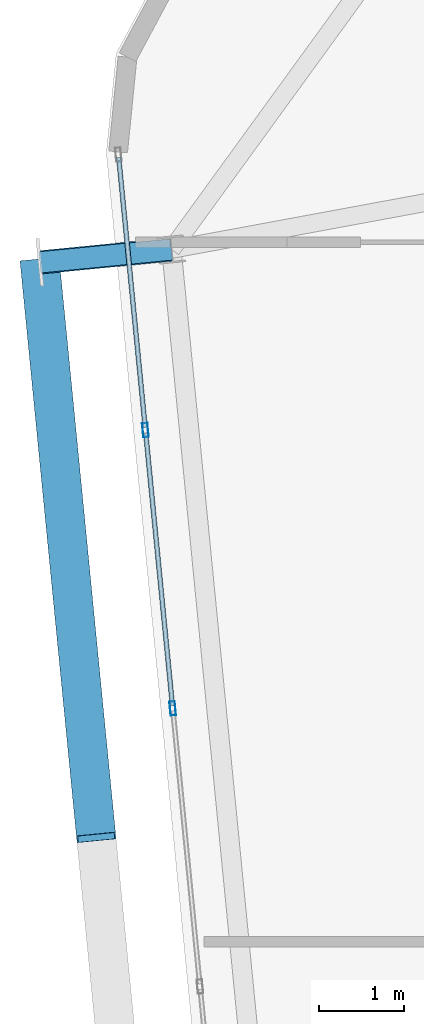
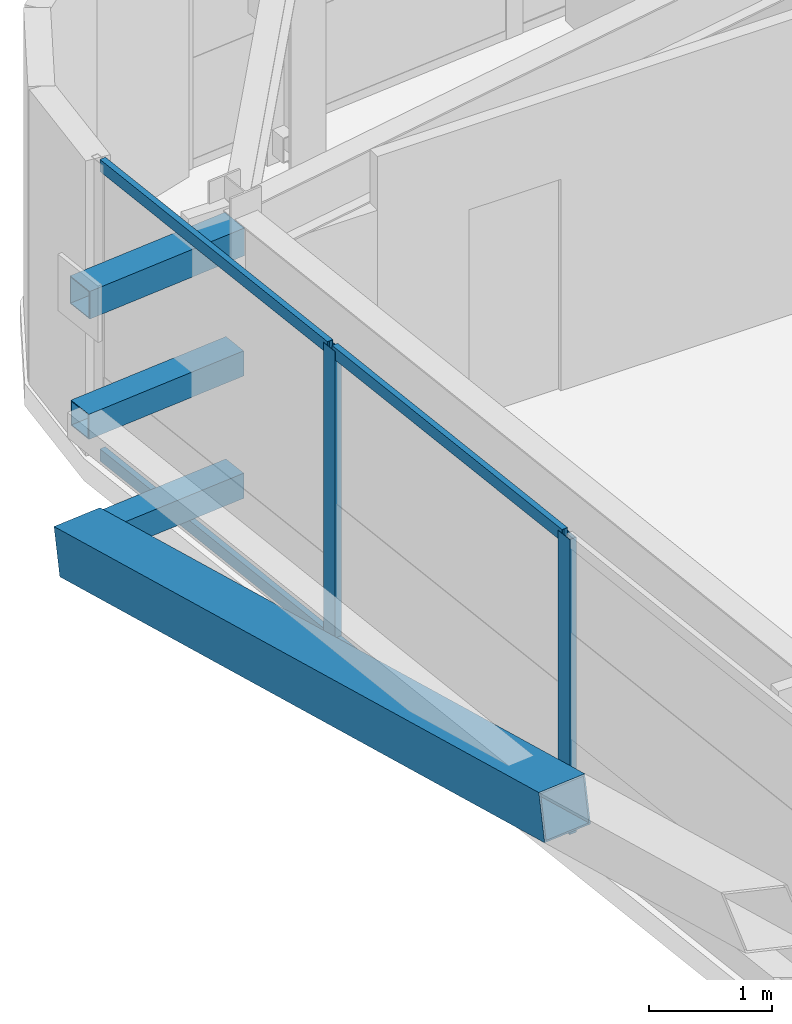
# One storey, part 15 of 52: 10 members, 1 element without a shape of its own.
"""IFC4 building model written with IfcOpenShell, lengths in metres."""

import ifcopenshell
import ifcopenshell.guid

model = None  # the IFC model being written
_history = None  # IfcOwnerHistory: only IFC2X3 demands one
_inside = {}  # id of a spatial element -> (the spatial element, [elements in it])
_under = {}  # id of a project, library or spatial element -> (it, [spatial elements below it])
_declared = {}  # id of a project -> (the project, [libraries it declares])
_typed = {}  # id of a type object -> (the type object, [elements of that type])
_made_of = {}  # id of a material, layer set ... -> (it, [elements and type objects made of it])


def new_model(schema):
    """Start an empty IFC model of exactly this schema.

    Asked for "IFC4X3", IfcOpenShell would pick the latest addendum, in which some entities
    have other attributes; the version numbers below select the first issue.
    IFC2X3 requires an IfcOwnerHistory on every rooted entity: one is made here for all.
    """
    global model, _history
    if schema == "IFC4X3":
        model = ifcopenshell.file(schema_version=(4, 3, 0, 0))
    else:
        model = ifcopenshell.file(schema=schema)
    _inside.clear()
    _under.clear()
    _declared.clear()
    _typed.clear()
    _made_of.clear()
    _history = None
    if model.schema == "IFC2X3":
        org = make("IfcOrganization", Name="unknown")
        user = make(
            "IfcPersonAndOrganization",
            ThePerson=make("IfcPerson", FamilyName="unknown"),
            TheOrganization=org,
        )
        app = make(
            "IfcApplication",
            ApplicationDeveloper=org,
            Version="unknown",
            ApplicationFullName="unknown",
            ApplicationIdentifier="unknown",
        )
        _history = make(
            "IfcOwnerHistory",
            OwningUser=user,
            OwningApplication=app,
            ChangeAction="ADDED",
            CreationDate=0,
        )
    return model


def make(cls, **values):
    """One entity of the class cls with the attributes given. An attribute that is None is left unset."""
    return model.create_entity(
        cls, **{name: value for name, value in values.items() if value is not None}
    )


def rooted(cls, **values):
    """An entity with a GlobalId (a new one), such as an element, a storey or a relation."""
    return make(cls, GlobalId=ifcopenshell.guid.new(), OwnerHistory=_history, **values)


def si_unit(unit_type, name, prefix=None):
    """IfcSIUnit, for example si_unit("LENGTHUNIT", "METRE", prefix="MILLI")."""
    return make("IfcSIUnit", UnitType=unit_type, Prefix=prefix, Name=name)


def assignment(units):
    """IfcUnitAssignment: the units of a project."""
    return None if units is None else make("IfcUnitAssignment", Units=units)


def point(xyz):
    """IfcCartesianPoint."""
    return None if xyz is None else make("IfcCartesianPoint", Coordinates=xyz)


def direction(xyz):
    """IfcDirection."""
    return None if xyz is None else make("IfcDirection", DirectionRatios=xyz)


def frame(location, z_axis=None, x_axis=None):
    """IfcAxis2Placement3D, a coordinate frame: its origin and axes. An axis left out is left unset."""
    return make(
        "IfcAxis2Placement3D",
        Location=point(location),
        Axis=direction(z_axis),
        RefDirection=direction(x_axis),
    )


def frame_2d(location, x_axis=None):
    """IfcAxis2Placement2D, a coordinate frame in the plane: its origin and x axis."""
    return make(
        "IfcAxis2Placement2D", Location=point(location), RefDirection=direction(x_axis)
    )


def origin():
    """The frame at (0, 0, 0) with its axes left unset."""
    return frame((0.0, 0.0, 0.0))


def origin_2d():
    """The frame at (0, 0) in the plane with its x axis left unset."""
    return frame_2d((0.0, 0.0))


def place(relative_to, where):
    """IfcLocalPlacement: puts the frame where relative to a parent placement (None: the world)."""
    return make(
        "IfcLocalPlacement", PlacementRelTo=relative_to, RelativePlacement=where
    )


def context(
    kind, dimensions, precision=None, world=None, true_north=None, identifier=None
):
    """IfcGeometricRepresentationContext, for example the 3D "Model" context."""
    return make(
        "IfcGeometricRepresentationContext",
        ContextIdentifier=identifier,
        ContextType=kind,
        CoordinateSpaceDimension=dimensions,
        Precision=precision,
        WorldCoordinateSystem=world,
        TrueNorth=true_north,
    )


def subcontext(parent, identifier, kind, view, scale=None):
    """IfcGeometricRepresentationSubContext, for example "Body" below "Model"."""
    return make(
        "IfcGeometricRepresentationSubContext",
        ContextIdentifier=identifier,
        ContextType=kind,
        ParentContext=parent,
        TargetScale=scale,
        TargetView=view,
    )


def project(units=None, contexts=None):
    """IfcProject with its units and contexts."""
    return rooted(
        "IfcProject",
        Name="project",
        RepresentationContexts=contexts,
        UnitsInContext=assignment(units),
    )


def spatial(cls, under=None, at=None, **own):
    """A site, building, storey or space (cls), placed at a placement, below another one or the project."""
    s = rooted(cls, ObjectPlacement=at, **own)
    if under is not None:
        _under.setdefault(under.id(), (under, []))[1].append(s)
    return s


def profile(cls, at=None, kind="AREA", **sizes):
    """A parametric profile (cls). Its sizes go by their IFC names, for example OverallWidth=200.0."""
    return make(cls, ProfileType=kind, Position=at, **sizes)


def hollow_rectangle(**sizes):
    """IfcRectangleHollowProfileDef."""
    return profile("IfcRectangleHollowProfileDef", **sizes)


def extrude(swept, where, along, depth):
    """IfcExtrudedAreaSolid: the profile swept, set in the frame where, extruded along a direction by depth."""
    return make(
        "IfcExtrudedAreaSolid",
        SweptArea=swept,
        Position=where,
        ExtrudedDirection=direction(along),
        Depth=depth,
    )


def shape(context_of_items, identifier, shape_type, items):
    """IfcShapeRepresentation: the items that make up one representation, for example the "Body"."""
    return make(
        "IfcShapeRepresentation",
        ContextOfItems=context_of_items,
        RepresentationIdentifier=identifier,
        RepresentationType=shape_type,
        Items=items,
    )


def source(mapping_origin, context_of_items, identifier, shape_type, items):
    """IfcRepresentationMap: a shape defined once, which mapped items show again and again."""
    return make(
        "IfcRepresentationMap",
        MappingOrigin=mapping_origin,
        MappedRepresentation=shape(context_of_items, identifier, shape_type, items),
    )


def transform(
    local_origin,
    x_axis=None,
    y_axis=None,
    z_axis=None,
    scale=None,
    scale2=None,
    scale3=None,
    uniform=True,
):
    """IfcCartesianTransformationOperator3D, or its non-uniform kind. x_axis, y_axis, z_axis: its Axis1, 2, 3."""
    if uniform:
        return make(
            "IfcCartesianTransformationOperator3D",
            Axis1=direction(x_axis),
            Axis2=direction(y_axis),
            LocalOrigin=point(local_origin),
            Scale=scale,
            Axis3=direction(z_axis),
        )
    return make(
        "IfcCartesianTransformationOperator3DnonUniform",
        Axis1=direction(x_axis),
        Axis2=direction(y_axis),
        LocalOrigin=point(local_origin),
        Scale=scale,
        Axis3=direction(z_axis),
        Scale2=scale2,
        Scale3=scale3,
    )


def mapped(mapping_source, mapping_target):
    """IfcMappedItem: shows the shape of a source again, moved by a transform."""
    return make(
        "IfcMappedItem", MappingSource=mapping_source, MappingTarget=mapping_target
    )


def material(Name=None, Category=None):
    """IfcMaterial."""
    return make("IfcMaterial", Name=Name, Category=Category)


def layer(
    of_material, thickness, ventilated=None, Name=None, Category=None, Priority=None
):
    """IfcMaterialLayer: one layer of a wall or slab, of a material (None: an air gap)."""
    return make(
        "IfcMaterialLayer",
        Material=of_material,
        LayerThickness=thickness,
        IsVentilated=ventilated,
        Name=Name,
        Category=Category,
        Priority=Priority,
    )


def layer_set(layers, Name=None):
    """IfcMaterialLayerSet."""
    return make("IfcMaterialLayerSet", MaterialLayers=layers, LayerSetName=Name)


def material_profile(
    of_material, cross_section, Name=None, Category=None, Priority=None
):
    """IfcMaterialProfile: a cross section and its material."""
    return make(
        "IfcMaterialProfile",
        Name=Name,
        Material=of_material,
        Profile=cross_section,
        Priority=Priority,
        Category=Category,
    )


def profile_set(profiles, Name=None, composite=None):
    """IfcMaterialProfileSet."""
    return make(
        "IfcMaterialProfileSet",
        Name=Name,
        MaterialProfiles=profiles,
        CompositeProfile=composite,
    )


def made_of(thing, what):
    """Note that an element or type object is made of a material, layer set ...; save() writes the relation."""
    if what is not None:
        _made_of.setdefault(what.id(), (what, []))[1].append(thing)
    return thing


def type_object(cls, material=None, **own):
    """A type object (cls), such as IfcWallType, which elements share."""
    return made_of(rooted(cls, **own), material)


def element(
    cls,
    number,
    at=None,
    inside=None,
    cuts=None,
    type_object=None,
    material=None,
    context=None,
    identifier="Body",
    shape_type=None,
    held_by="IfcProductDefinitionShape",
    body=None,
    shapes=None,
    **own,
):
    """One element of the class cls, such as IfcWall. Its Tag is "e" and its number.

    at: its placement. inside: the storey or other place that contains it. cuts: it is an
    opening in that element (IfcRelVoidsElement). A single representation is given by context,
    identifier, shape_type and body (its items); several are given by shapes. held_by: the class
    of the entity that holds the representations. save() writes the other relations.
    """
    e = rooted(cls, Tag="e%d" % number, ObjectPlacement=at, **own)
    if body is not None:
        shapes = [shape(context, identifier, shape_type, body)]
    if shapes is not None:
        e.Representation = make(held_by, Representations=shapes)
    if inside is not None:
        _inside.setdefault(inside.id(), (inside, []))[1].append(e)
    if cuts is not None:
        rooted(
            "IfcRelVoidsElement", RelatingBuildingElement=cuts, RelatedOpeningElement=e
        )
    if type_object is not None:
        _typed.setdefault(type_object.id(), (type_object, []))[1].append(e)
    return made_of(e, material)


def aggregate(whole, parts):
    """IfcRelAggregates: a whole, such as a stair, and the parts it consists of."""
    return rooted("IfcRelAggregates", RelatingObject=whole, RelatedObjects=parts)


def save(model, path):
    """Write the relations noted so far, then the file.

    IfcRelAggregates (storeys below a building ...), IfcRelContainedInSpatialStructure (elements
    in a storey), IfcRelDefinesByType, IfcRelAssociatesMaterial and IfcRelDeclares: one each for
    every whole, place, type object, material and project.
    """
    for whole, parts in _under.values():
        aggregate(whole, parts)
    for where, things in _inside.values():
        rooted(
            "IfcRelContainedInSpatialStructure",
            RelatedElements=things,
            RelatingStructure=where,
        )
    for kind, things in _typed.values():
        rooted("IfcRelDefinesByType", RelatedObjects=things, RelatingType=kind)
    for what, things in _made_of.values():
        rooted("IfcRelAssociatesMaterial", RelatedObjects=things, RelatingMaterial=what)
    for by, libraries in _declared.values():
        rooted("IfcRelDeclares", RelatingContext=by, RelatedDefinitions=libraries)
    model.write(path)


model = new_model("IFC4")

# Units and contexts
model_context = context("Model", 3, precision=1e-05, world=origin(), true_north=direction((0.0, 1.0)))
body_context = subcontext(model_context, "Body", "Model", "MODEL_VIEW")
ifc_project = project(units=[si_unit("LENGTHUNIT", "METRE"), si_unit("AREAUNIT", "SQUARE_METRE"), si_unit("VOLUMEUNIT", "CUBIC_METRE"), si_unit("PLANEANGLEUNIT", "RADIAN"), si_unit("MASSUNIT", "GRAM", prefix="KILO")], contexts=[model_context])

# Site, building, storey
site_placement = place(None, origin())
site = spatial("IfcSite", under=ifc_project, at=site_placement, CompositionType="ELEMENT")
building_placement = place(site_placement, origin())
building = spatial("IfcBuilding", under=site, at=building_placement, Name="Taldren Reach Tower", CompositionType="ELEMENT")
storey_placement = place(building_placement, frame((0.0, 0.0, 74.550048828125)))
storey = spatial("IfcBuildingStorey", under=building, at=storey_placement, Name="L22", CompositionType="ELEMENT", Elevation=74.550048828125)

# Members
ifc_material_1 = material(Name="Steel Gr 450 (C450L0)", Category="steel")
ifc_material_profile_1 = material_profile(ifc_material_1, hollow_rectangle(XDim=0.27490234375, YDim=0.27490234375, WallThickness=0.00927734375, at=origin_2d()), Name="275x275x9.3SHS")
ifc_profile_set_1 = profile_set([ifc_material_profile_1], Name="Steel Gr 450 (C450L0)")
member_type_1 = type_object("IfcMemberType", Name="MB-TIE273", PredefinedType="STRUT", material=ifc_profile_set_1)
shared_shape_1 = source(origin(), body_context, "Body", "SweptSolid", [
    extrude(hollow_rectangle(XDim=0.27490234375, YDim=0.27490234375, WallThickness=0.00927734375, at=origin_2d()), origin(), (0.0, 0.0, 1.0), 1.550048828125),
])
member_1_placement = place(storey_placement, frame((8.808349609375, 30.116455078125, 2.64990234375), z_axis=(-0.9952210252, -0.097647892962, 0.0), x_axis=(0.097647892962, -0.9952210252, 0.0)))
element("IfcMember", 1, at=member_1_placement, inside=storey, type_object=member_type_1, Name="Exoskeleton diaphragm tie strut B2-W3 L22", PredefinedType="STRUT", context=body_context, shape_type="MappedRepresentation", body=[
    mapped(shared_shape_1, transform((0.0, 0.0, 0.0), scale=1.0)),
])
ifc_material_2 = material(Name="Steel Gr 350 (C350L0)", Category="steel")
ifc_material_profile_2 = material_profile(ifc_material_2, hollow_rectangle(XDim=0.25, YDim=0.25, WallThickness=0.010009765625, at=origin_2d()), Name="250x250x10.0SHS")
ifc_profile_set_2 = profile_set([ifc_material_profile_2], Name="Steel Gr 350 (C350L0)")
member_type_2 = type_object("IfcMemberType", Name="MB-POST250", PredefinedType="POST", material=ifc_profile_set_2)
shared_shape_2 = source(origin(), body_context, "Body", "SweptSolid", [
    extrude(hollow_rectangle(XDim=0.25, YDim=0.25, WallThickness=0.010009765625, at=origin_2d()), origin(), (0.0, 0.0, 1.0), 1.550048828125),
])
for number, where, z_axis, x_axis, name in (
    (2, (8.808349609375, 30.116455078125, 0.219970703125), (-0.9952210252, -0.097647892962, 0.0), (0.097647892962, -0.9952210252, 0.0), "Exoskeleton base diaphragm tie strut B2-W3 L22"),
    (3, (8.808349609375, 30.116455078125, 1.43505859375), (-0.9952210252, -0.097647892962, 0.0), (0.097647892962, -0.9952210252, 0.0), "Exoskeleton mid-tier diaphragm tie B2-W3 L22"),
):
    element("IfcMember", number, at=place(storey_placement, frame(where, z_axis=z_axis, x_axis=x_axis)), inside=storey, type_object=member_type_2, Name=name, PredefinedType="POST", context=body_context, shape_type="MappedRepresentation", body=[
        mapped(shared_shape_2, transform((0.0, 0.0, 0.0), scale=1.0)),
    ])
ifc_material_profile_3 = material_profile(ifc_material_1, hollow_rectangle(XDim=0.4599609375, YDim=0.4599609375, WallThickness=0.01611328125, at=origin_2d()), Name="460x460x16.0SHS")
ifc_profile_set_3 = profile_set([ifc_material_profile_3], Name="Steel Gr 450 (C450L0)")
member_type_3 = type_object("IfcMemberType", Name="MB-EXO457", PredefinedType="BRACE", material=ifc_profile_set_3)
shared_shape_3 = source(origin(), body_context, "Body", "SweptSolid", [
    extrude(hollow_rectangle(XDim=0.4599609375, YDim=0.4599609375, WallThickness=0.01611328125, at=origin_2d()), origin(), (0.0, 0.0, 1.0), 6.883056640625),
])
member_2_placement = place(storey_placement, frame((7.265625, 29.965087890625, 0.219970703125), z_axis=(0.09605145821, -0.97959718347, 0.176531797456), x_axis=(0.995227290009, 0.097584021339, 0.0)))
element("IfcMember", 4, at=member_2_placement, inside=storey, type_object=member_type_3, Name="Exoskeleton Diagrid Brace B2-W2 L22", PredefinedType="BRACE", context=body_context, shape_type="MappedRepresentation", body=[
    mapped(shared_shape_3, transform((0.0, 0.0, 0.0), scale=1.0)),
])

# Curtain wall, members
ifc_material_3 = material(Name="Aluminium and Low-E Glass Unitised System", Category="aluminium")
ifc_layer = layer(ifc_material_3, 0.159912109375)
ifc_layer_set = layer_set([ifc_layer], Name="Aluminium and Low-E Glass Unitised System")
curtain_wall_type = type_object("IfcCurtainWallType", Name="CW-SYS-3", PredefinedType="NOTDEFINED", material=ifc_layer_set)
curtain_wall_placement = place(storey_placement, origin())
curtain_wall = element("IfcCurtainWall", 5, at=curtain_wall_placement, inside=storey, type_object=curtain_wall_type, Name="Unitised curtain wall CW-L22-W", PredefinedType="NOTDEFINED")
ifc_material_4 = material(Name="Anodised Aluminium 6063-T6", Category="aluminium")
ifc_material_profile_4 = material_profile(ifc_material_4, hollow_rectangle(XDim=0.06494140625, YDim=0.1650390625, WallThickness=0.00390625, at=origin_2d()), Name="ALU-165x65x4RHS")
ifc_profile_set_4 = profile_set([ifc_material_profile_4], Name="Anodised Aluminium 6063-T6")
member_type_4 = type_object("IfcMemberType", Name="CW-MUL-165", PredefinedType="MULLION", material=ifc_profile_set_4)
shared_shape_4 = source(origin(), body_context, "Body", "SweptSolid", [
    extrude(hollow_rectangle(XDim=0.06494140625, YDim=0.1650390625, WallThickness=0.00390625, at=origin_2d()), origin(), (0.0, 0.0, 1.0), 2.929931640625),
])
member_3_placement = place(storey_placement, frame((8.50341796875, 27.998779296875, 0.0), z_axis=(0.0, 0.0, 1.0), x_axis=(0.99522741555, 0.09758274098, 0.0)))
member_3 = element("IfcMember", 6, at=member_3_placement, type_object=member_type_4, Name="CW-3 mullion 2", PredefinedType="MULLION", context=body_context, shape_type="MappedRepresentation", body=[
    mapped(shared_shape_4, transform((0.0, 0.0, 0.0), scale=1.0)),
])
member_4_placement = place(storey_placement, frame((8.8232421875, 24.736572265625, 0.0), z_axis=(0.0, 0.0, 1.0), x_axis=(0.99522741555, 0.09758274098, 0.0)))
member_4 = element("IfcMember", 7, at=member_4_placement, type_object=member_type_4, Name="CW-3 mullion 3", PredefinedType="MULLION", context=body_context, shape_type="MappedRepresentation", body=[
    mapped(shared_shape_4, transform((0.0, 0.0, 0.0), scale=1.0)),
])
ifc_material_profile_5 = material_profile(ifc_material_4, hollow_rectangle(XDim=0.054931640625, YDim=0.1201171875, WallThickness=0.0029296875, at=origin_2d()), Name="ALU-120x55x3RHS")
ifc_profile_set_5 = profile_set([ifc_material_profile_5], Name="Anodised Aluminium 6063-T6")
member_type_5 = type_object("IfcMemberType", Name="CW-TRN-135", PredefinedType="USERDEFINED", material=ifc_profile_set_5)
shared_shape_5 = source(origin(), body_context, "Body", "SweptSolid", [
    extrude(hollow_rectangle(XDim=0.054931640625, YDim=0.1201171875, WallThickness=0.0029296875, at=origin_2d()), origin(), (0.0, 0.0, 1.0), 3.18017578125),
])
member_5_placement = place(storey_placement, frame((8.18994140625, 31.1962890625, 0.02734375), z_axis=(0.097572914968, -0.995228378949, 0.0), x_axis=(0.995228378949, 0.097572914968, 0.0)))
member_5 = element("IfcMember", 8, at=member_5_placement, type_object=member_type_5, Name="CW-3 transom 1.1", ObjectType="TRANSOM", PredefinedType="USERDEFINED", context=body_context, shape_type="MappedRepresentation", body=[
    mapped(shared_shape_5, transform((0.0, 0.0, 0.0), scale=1.0)),
])
member_6_placement = place(storey_placement, frame((8.18994140625, 31.1962890625, 2.90234375), z_axis=(0.097572914968, -0.995228378949, 0.0), x_axis=(0.995228378949, 0.097572914968, 0.0)))
member_6 = element("IfcMember", 9, at=member_6_placement, type_object=member_type_5, Name="CW-3 transom 1.2", ObjectType="TRANSOM", PredefinedType="USERDEFINED", context=body_context, shape_type="MappedRepresentation", body=[
    mapped(shared_shape_5, transform((0.0, 0.0, 0.0), scale=1.0)),
])
shared_shape_6 = source(origin(), body_context, "Body", "SweptSolid", [
    extrude(hollow_rectangle(XDim=0.054931640625, YDim=0.1201171875, WallThickness=0.0029296875, at=origin_2d()), origin(), (0.0, 0.0, 1.0), 3.212890625),
])
member_7_placement = place(storey_placement, frame((8.506591796875, 27.966552734375, 0.02734375), z_axis=(0.097569948235, -0.995228669805, 0.0), x_axis=(0.995228669805, 0.097569948235, 0.0)))
member_7 = element("IfcMember", 10, at=member_7_placement, type_object=member_type_5, Name="CW-3 transom 2.1", ObjectType="TRANSOM", PredefinedType="USERDEFINED", context=body_context, shape_type="MappedRepresentation", body=[
    mapped(shared_shape_6, transform((0.0, 0.0, 0.0), scale=1.0)),
])
member_8_placement = place(storey_placement, frame((8.506591796875, 27.966552734375, 2.90234375), z_axis=(0.097569948235, -0.995228669805, 0.0), x_axis=(0.995228669805, 0.097569948235, 0.0)))
member_8 = element("IfcMember", 11, at=member_8_placement, type_object=member_type_5, Name="CW-3 transom 2.2", ObjectType="TRANSOM", PredefinedType="USERDEFINED", context=body_context, shape_type="MappedRepresentation", body=[
    mapped(shared_shape_6, transform((0.0, 0.0, 0.0), scale=1.0)),
])
aggregate(curtain_wall, [member_3, member_4, member_5, member_6, member_7, member_8])

save(model, "model.ifc")
